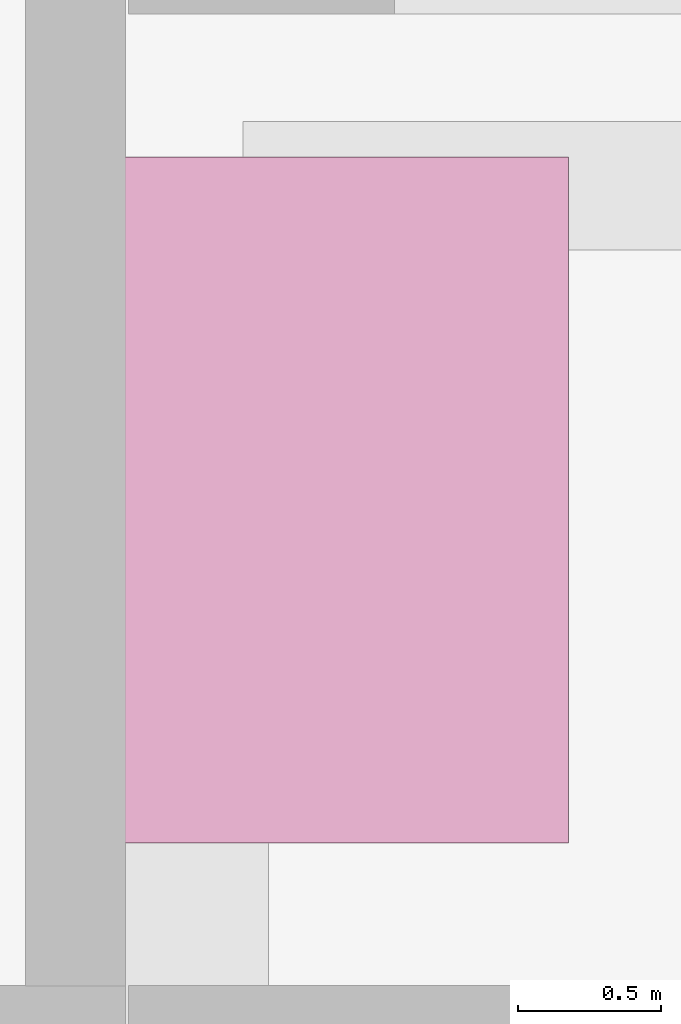
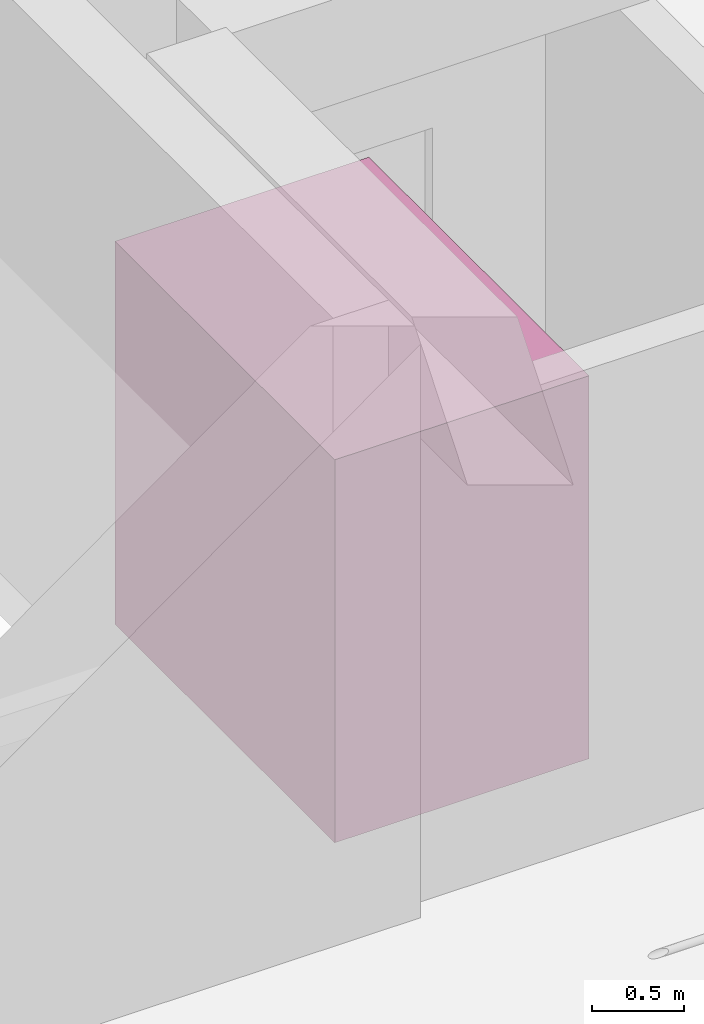
# One storey, part 35 of 35: 1 transport element.
"""IFC4 building model written with IfcOpenShell, lengths in metres."""

import ifcopenshell
import ifcopenshell.guid

model = None  # the IFC model being written
_history = None  # IfcOwnerHistory: only IFC2X3 demands one
_inside = {}  # id of a spatial element -> (the spatial element, [elements in it])
_under = {}  # id of a project, library or spatial element -> (it, [spatial elements below it])
_declared = {}  # id of a project -> (the project, [libraries it declares])
_typed = {}  # id of a type object -> (the type object, [elements of that type])
_made_of = {}  # id of a material, layer set ... -> (it, [elements and type objects made of it])


def new_model(schema):
    """Start an empty IFC model of exactly this schema.

    Asked for "IFC4X3", IfcOpenShell would pick the latest addendum, in which some entities
    have other attributes; the version numbers below select the first issue.
    IFC2X3 requires an IfcOwnerHistory on every rooted entity: one is made here for all.
    """
    global model, _history
    if schema == "IFC4X3":
        model = ifcopenshell.file(schema_version=(4, 3, 0, 0))
    else:
        model = ifcopenshell.file(schema=schema)
    _inside.clear()
    _under.clear()
    _declared.clear()
    _typed.clear()
    _made_of.clear()
    _history = None
    if model.schema == "IFC2X3":
        org = make("IfcOrganization", Name="unknown")
        user = make(
            "IfcPersonAndOrganization",
            ThePerson=make("IfcPerson", FamilyName="unknown"),
            TheOrganization=org,
        )
        app = make(
            "IfcApplication",
            ApplicationDeveloper=org,
            Version="unknown",
            ApplicationFullName="unknown",
            ApplicationIdentifier="unknown",
        )
        _history = make(
            "IfcOwnerHistory",
            OwningUser=user,
            OwningApplication=app,
            ChangeAction="ADDED",
            CreationDate=0,
        )
    return model


def make(cls, **values):
    """One entity of the class cls with the attributes given. An attribute that is None is left unset."""
    return model.create_entity(
        cls, **{name: value for name, value in values.items() if value is not None}
    )


def rooted(cls, **values):
    """An entity with a GlobalId (a new one), such as an element, a storey or a relation."""
    return make(cls, GlobalId=ifcopenshell.guid.new(), OwnerHistory=_history, **values)


def si_unit(unit_type, name, prefix=None):
    """IfcSIUnit, for example si_unit("LENGTHUNIT", "METRE", prefix="MILLI")."""
    return make("IfcSIUnit", UnitType=unit_type, Prefix=prefix, Name=name)


def assignment(units):
    """IfcUnitAssignment: the units of a project."""
    return None if units is None else make("IfcUnitAssignment", Units=units)


def point(xyz):
    """IfcCartesianPoint."""
    return None if xyz is None else make("IfcCartesianPoint", Coordinates=xyz)


def direction(xyz):
    """IfcDirection."""
    return None if xyz is None else make("IfcDirection", DirectionRatios=xyz)


def frame(location, z_axis=None, x_axis=None):
    """IfcAxis2Placement3D, a coordinate frame: its origin and axes. An axis left out is left unset."""
    return make(
        "IfcAxis2Placement3D",
        Location=point(location),
        Axis=direction(z_axis),
        RefDirection=direction(x_axis),
    )


def frame_2d(location, x_axis=None):
    """IfcAxis2Placement2D, a coordinate frame in the plane: its origin and x axis."""
    return make(
        "IfcAxis2Placement2D", Location=point(location), RefDirection=direction(x_axis)
    )


def origin():
    """The frame at (0, 0, 0) with its axes left unset."""
    return frame((0.0, 0.0, 0.0))


def origin_2d():
    """The frame at (0, 0) in the plane with its x axis left unset."""
    return frame_2d((0.0, 0.0))


def place(relative_to, where):
    """IfcLocalPlacement: puts the frame where relative to a parent placement (None: the world)."""
    return make(
        "IfcLocalPlacement", PlacementRelTo=relative_to, RelativePlacement=where
    )


def context(
    kind, dimensions, precision=None, world=None, true_north=None, identifier=None
):
    """IfcGeometricRepresentationContext, for example the 3D "Model" context."""
    return make(
        "IfcGeometricRepresentationContext",
        ContextIdentifier=identifier,
        ContextType=kind,
        CoordinateSpaceDimension=dimensions,
        Precision=precision,
        WorldCoordinateSystem=world,
        TrueNorth=true_north,
    )


def subcontext(parent, identifier, kind, view, scale=None):
    """IfcGeometricRepresentationSubContext, for example "Body" below "Model"."""
    return make(
        "IfcGeometricRepresentationSubContext",
        ContextIdentifier=identifier,
        ContextType=kind,
        ParentContext=parent,
        TargetScale=scale,
        TargetView=view,
    )


def project(units=None, contexts=None):
    """IfcProject with its units and contexts."""
    return rooted(
        "IfcProject",
        Name="project",
        RepresentationContexts=contexts,
        UnitsInContext=assignment(units),
    )


def spatial(cls, under=None, at=None, **own):
    """A site, building, storey or space (cls), placed at a placement, below another one or the project."""
    s = rooted(cls, ObjectPlacement=at, **own)
    if under is not None:
        _under.setdefault(under.id(), (under, []))[1].append(s)
    return s


def profile(cls, at=None, kind="AREA", **sizes):
    """A parametric profile (cls). Its sizes go by their IFC names, for example OverallWidth=200.0."""
    return make(cls, ProfileType=kind, Position=at, **sizes)


def rectangle(**sizes):
    """IfcRectangleProfileDef."""
    return profile("IfcRectangleProfileDef", **sizes)


def extrude(swept, where, along, depth):
    """IfcExtrudedAreaSolid: the profile swept, set in the frame where, extruded along a direction by depth."""
    return make(
        "IfcExtrudedAreaSolid",
        SweptArea=swept,
        Position=where,
        ExtrudedDirection=direction(along),
        Depth=depth,
    )


def shape(context_of_items, identifier, shape_type, items):
    """IfcShapeRepresentation: the items that make up one representation, for example the "Body"."""
    return make(
        "IfcShapeRepresentation",
        ContextOfItems=context_of_items,
        RepresentationIdentifier=identifier,
        RepresentationType=shape_type,
        Items=items,
    )


def material(Name=None, Category=None):
    """IfcMaterial."""
    return make("IfcMaterial", Name=Name, Category=Category)


def made_of(thing, what):
    """Note that an element or type object is made of a material, layer set ...; save() writes the relation."""
    if what is not None:
        _made_of.setdefault(what.id(), (what, []))[1].append(thing)
    return thing


def type_object(cls, material=None, **own):
    """A type object (cls), such as IfcWallType, which elements share."""
    return made_of(rooted(cls, **own), material)


def element(
    cls,
    number,
    at=None,
    inside=None,
    cuts=None,
    type_object=None,
    material=None,
    context=None,
    identifier="Body",
    shape_type=None,
    held_by="IfcProductDefinitionShape",
    body=None,
    shapes=None,
    **own,
):
    """One element of the class cls, such as IfcWall. Its Tag is "e" and its number.

    at: its placement. inside: the storey or other place that contains it. cuts: it is an
    opening in that element (IfcRelVoidsElement). A single representation is given by context,
    identifier, shape_type and body (its items); several are given by shapes. held_by: the class
    of the entity that holds the representations. save() writes the other relations.
    """
    e = rooted(cls, Tag="e%d" % number, ObjectPlacement=at, **own)
    if body is not None:
        shapes = [shape(context, identifier, shape_type, body)]
    if shapes is not None:
        e.Representation = make(held_by, Representations=shapes)
    if inside is not None:
        _inside.setdefault(inside.id(), (inside, []))[1].append(e)
    if cuts is not None:
        rooted(
            "IfcRelVoidsElement", RelatingBuildingElement=cuts, RelatedOpeningElement=e
        )
    if type_object is not None:
        _typed.setdefault(type_object.id(), (type_object, []))[1].append(e)
    return made_of(e, material)


def aggregate(whole, parts):
    """IfcRelAggregates: a whole, such as a stair, and the parts it consists of."""
    return rooted("IfcRelAggregates", RelatingObject=whole, RelatedObjects=parts)


def save(model, path):
    """Write the relations noted so far, then the file.

    IfcRelAggregates (storeys below a building ...), IfcRelContainedInSpatialStructure (elements
    in a storey), IfcRelDefinesByType, IfcRelAssociatesMaterial and IfcRelDeclares: one each for
    every whole, place, type object, material and project.
    """
    for whole, parts in _under.values():
        aggregate(whole, parts)
    for where, things in _inside.values():
        rooted(
            "IfcRelContainedInSpatialStructure",
            RelatedElements=things,
            RelatingStructure=where,
        )
    for kind, things in _typed.values():
        rooted("IfcRelDefinesByType", RelatedObjects=things, RelatingType=kind)
    for what, things in _made_of.values():
        rooted("IfcRelAssociatesMaterial", RelatedObjects=things, RelatingMaterial=what)
    for by, libraries in _declared.values():
        rooted("IfcRelDeclares", RelatingContext=by, RelatedDefinitions=libraries)
    model.write(path)


model = new_model("IFC4")

# Units and contexts
model_context = context("Model", 3, precision=1e-05, world=origin(), true_north=direction((0.0, 1.0)))
body_context = subcontext(model_context, "Body", "Model", "MODEL_VIEW")
ifc_project = project(units=[si_unit("LENGTHUNIT", "METRE"), si_unit("AREAUNIT", "SQUARE_METRE"), si_unit("VOLUMEUNIT", "CUBIC_METRE"), si_unit("PLANEANGLEUNIT", "RADIAN"), si_unit("MASSUNIT", "GRAM", prefix="KILO"), si_unit("THERMODYNAMICTEMPERATUREUNIT", "KELVIN"), si_unit("POWERUNIT", "WATT")], contexts=[model_context])

# Site, building, storey
site_placement = place(None, origin())
site = spatial("IfcSite", under=ifc_project, at=site_placement, CompositionType="ELEMENT")
building_placement = place(site_placement, origin())
building = spatial("IfcBuilding", under=site, at=building_placement, Name="Solvatero Civic Police Headquarters", CompositionType="ELEMENT")
storey_placement = place(building_placement, frame((0.0, 0.0, -4.199951171875)))
storey = spatial("IfcBuildingStorey", under=building, at=storey_placement, Name="B01", CompositionType="ELEMENT", Elevation=-4.199951171875)

# Transport element
ifc_material = material(Name="Brushed Stainless Steel", Category="steel")
transport_element_type = type_object("IfcTransportElementType", Name="LFT-GDS-2000", PredefinedType="ELEVATOR", material=ifc_material)
transport_element_placement = place(storey_placement, frame((93.5, 76.89990234375, 0.0), z_axis=(0.0, 0.0, 1.0), x_axis=(1.0, 0.0, 0.0)))
element("IfcTransportElement", 1, at=transport_element_placement, inside=storey, type_object=transport_element_type, Name="Forensic Evidence Goods Lift LG-01", PredefinedType="ELEVATOR", context=body_context, shape_type="SweptSolid", body=[
    extrude(rectangle(XDim=1.60009765625, YDim=2.39990234375, at=origin_2d()), origin(), (0.0, 0.0, 1.0), 2.550048828125),
])

save(model, "model.ifc")
